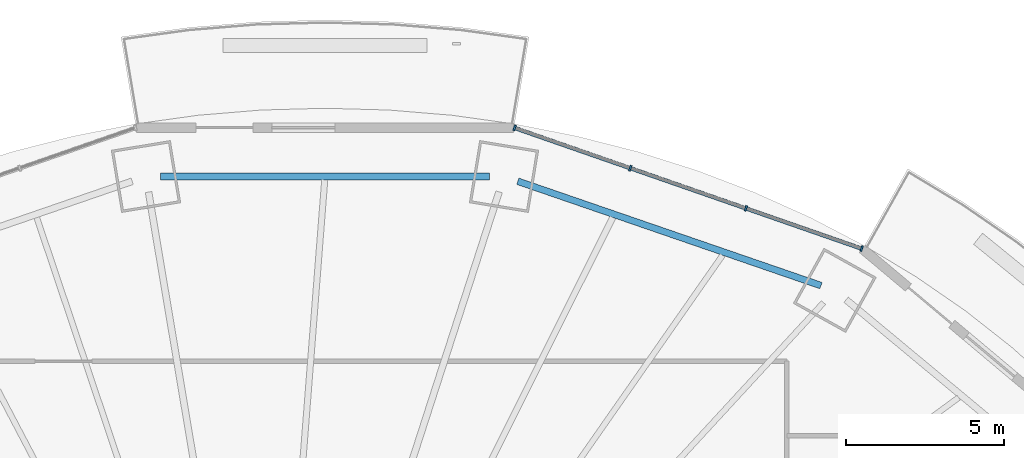
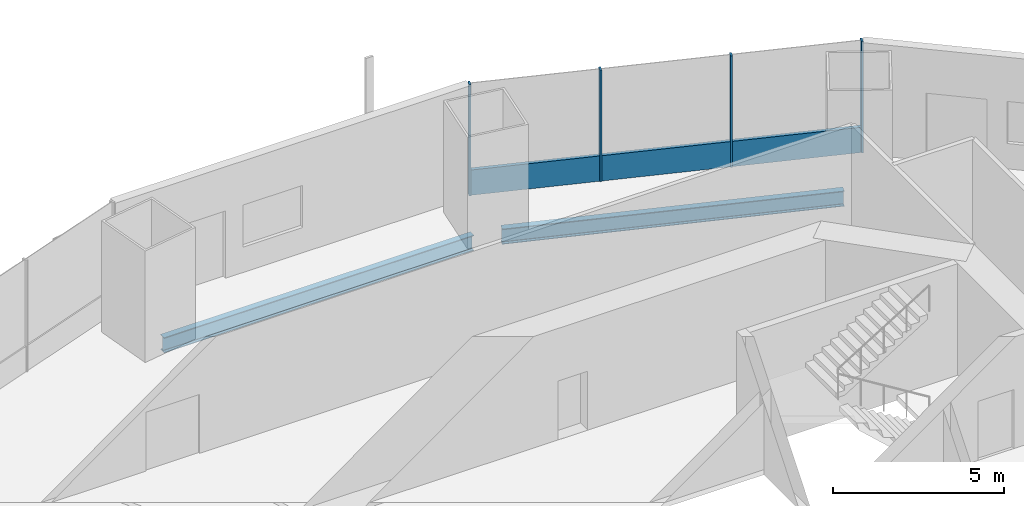
# One storey, part 8 of 19: 5 members, 2 beams, 1 element without a shape of its own.
"""IFC4 building model written with IfcOpenShell, lengths in metres."""

from ifc_helpers import new_model, si_unit, direction, frame, origin, origin_2d, place, context, subcontext, project, spatial, rectangle, i_section, extrude, material, material_profile, profile_set, type_object, element, aggregate, save


model = new_model("IFC4")

# Units and contexts
model_context = context("Model", 3, precision=1e-05, world=origin(), true_north=direction((0.0, 1.0)))
body_context = subcontext(model_context, "Body", "Model", "MODEL_VIEW")
ifc_project = project(units=[si_unit("LENGTHUNIT", "METRE"), si_unit("AREAUNIT", "SQUARE_METRE"), si_unit("VOLUMEUNIT", "CUBIC_METRE"), si_unit("PLANEANGLEUNIT", "RADIAN"), si_unit("MASSUNIT", "GRAM", prefix="KILO")], contexts=[model_context])

# Site, building, storey
site_placement = place(None, origin())
site = spatial("IfcSite", under=ifc_project, at=site_placement, CompositionType="ELEMENT")
building_placement = place(site_placement, origin())
building = spatial("IfcBuilding", under=site, at=building_placement, Name="Marenthal Gate Tower", CompositionType="ELEMENT")
storey_placement = place(building_placement, frame((0.0, 0.0, 227.449951171875)))
storey = spatial("IfcBuildingStorey", under=building, at=storey_placement, Name="L50", CompositionType="ELEMENT", Elevation=227.449951171875)

# Curtain wall, members
ifc_material_1 = material(Name="Aluminium and glass", Category="aluminium")
curtain_wall_type = type_object("IfcCurtainWallType", Name="Curtain wall typical mid", PredefinedType="NOTDEFINED", material=ifc_material_1)
curtain_wall_placement = place(storey_placement, origin())
curtain_wall = element("IfcCurtainWall", 1, at=curtain_wall_placement, inside=storey, type_object=curtain_wall_type, Name="Curtain wall L50 bay 3", PredefinedType="NOTDEFINED")
ifc_material_2 = material(Name="Aluminium", Category="aluminium")
ifc_material_profile_1 = material_profile(ifc_material_2, rectangle(XDim=0.179931640625, YDim=0.06005859375, at=origin_2d()), Name="60x180 aluminium mullion")
ifc_profile_set_1 = profile_set([ifc_material_profile_1], Name="Aluminium")
member_type_1 = type_object("IfcMemberType", Name="Mullion 60x180 typical mid", PredefinedType="MULLION", material=ifc_profile_set_1)
member_1_placement = place(storey_placement, frame((18.821044921875, 20.832763671875, 0.0), z_axis=(0.0, 0.0, 1.0), x_axis=(-0.328467970612, -0.94451510961, 0.0)))
member_1 = element("IfcMember", 2, at=member_1_placement, type_object=member_type_1, Name="Mullion L50 bay 3.1", PredefinedType="MULLION", context=body_context, shape_type="SweptSolid", body=[
    extrude(rectangle(XDim=0.179931640625, YDim=0.06005859375, at=origin_2d()), origin(), (0.0, 0.0, 1.0), 3.969970703125),
])
member_2_placement = place(storey_placement, frame((15.15234375, 22.1083984375, 0.0), z_axis=(0.0, 0.0, 1.0), x_axis=(-0.328467970612, -0.94451510961, 0.0)))
member_2 = element("IfcMember", 3, at=member_2_placement, type_object=member_type_1, Name="Mullion L50 bay 3.2", PredefinedType="MULLION", context=body_context, shape_type="SweptSolid", body=[
    extrude(rectangle(XDim=0.179931640625, YDim=0.06005859375, at=origin_2d()), origin(), (0.0, 0.0, 1.0), 3.969970703125),
])
member_3_placement = place(storey_placement, frame((11.48388671875, 23.38427734375, 0.0), z_axis=(0.0, 0.0, 1.0), x_axis=(-0.328467970612, -0.94451510961, 0.0)))
member_3 = element("IfcMember", 4, at=member_3_placement, type_object=member_type_1, Name="Mullion L50 bay 3.3", PredefinedType="MULLION", context=body_context, shape_type="SweptSolid", body=[
    extrude(rectangle(XDim=0.179931640625, YDim=0.06005859375, at=origin_2d()), origin(), (0.0, 0.0, 1.0), 3.969970703125),
])
member_4_placement = place(storey_placement, frame((7.815185546875, 24.66015625, 0.0), z_axis=(0.0, 0.0, 1.0), x_axis=(-0.328467970612, -0.94451510961, 0.0)))
member_4 = element("IfcMember", 5, at=member_4_placement, type_object=member_type_1, Name="Mullion L50 bay 3.4", PredefinedType="MULLION", context=body_context, shape_type="SweptSolid", body=[
    extrude(rectangle(XDim=0.179931640625, YDim=0.06005859375, at=origin_2d()), origin(), (0.0, 0.0, 1.0), 3.969970703125),
])
ifc_material_3 = material(Name="Aluminium", Category="aluminium")
ifc_material_profile_2 = material_profile(ifc_material_3, rectangle(XDim=0.1201171875, YDim=0.89990234375, at=origin_2d()), Name="120x900 aluminium transom")
ifc_profile_set_2 = profile_set([ifc_material_profile_2], Name="Aluminium")
member_type_2 = type_object("IfcMemberType", Name="Transom 120x900 typical mid", PredefinedType="USERDEFINED", material=ifc_profile_set_2)
member_5_placement = place(storey_placement, frame((18.792724609375, 20.842529296875, 0.449951171875), z_axis=(-0.944518387827, 0.328458543894, 0.0), x_axis=(-0.328458543894, -0.944518387827, 0.0)))
member_5 = element("IfcMember", 6, at=member_5_placement, type_object=member_type_2, Name="Transom L50 bay 3", ObjectType="TRANSOM", PredefinedType="USERDEFINED", context=body_context, shape_type="SweptSolid", body=[
    extrude(rectangle(XDim=0.1201171875, YDim=0.89990234375, at=origin_2d()), origin(), (0.0, 0.0, 1.0), 11.59228515625),
])
aggregate(curtain_wall, [member_1, member_2, member_3, member_4, member_5])

# Beams
ifc_material_4 = material(Name="Steel S355", Category="steel")
ifc_material_profile_3 = material_profile(ifc_material_4, i_section(OverallWidth=0.2119140625, OverallDepth=0.5439453125, WebThickness=0.01318359375, FlangeThickness=0.021240234375, FilletRadius=0.0126953125, at=origin_2d()), Name="W530X123")
ifc_profile_set_3 = profile_set([ifc_material_profile_3], Name="Steel S355")
beam_type = type_object("IfcBeamType", Name="W530X123 beam", PredefinedType="BEAM", material=ifc_profile_set_3)
beam_1_placement = place(storey_placement, frame((17.531982421875, 19.660400390625, -0.451904296875), z_axis=(-0.945567746604, 0.325425316443, 0.0), x_axis=(-0.325425316443, -0.945567746604, 0.0)))
element("IfcBeam", 7, at=beam_1_placement, inside=storey, type_object=beam_type, Name="BM-L50-43", PredefinedType="BEAM", context=body_context, shape_type="SweptSolid", body=[
    extrude(i_section(OverallWidth=0.2119140625, OverallDepth=0.5439453125, WebThickness=0.01318359375, FlangeThickness=0.021240234375, FilletRadius=0.0126953125, at=origin_2d()), origin(), (0.0, 0.0, 1.0), 10.16845703125),
])
beam_2_placement = place(storey_placement, frame((7.015869140625, 23.120361328125, -0.451904296875), z_axis=(-1.0, 0.0, 0.0), x_axis=(0.0, -1.0, 0.0)))
element("IfcBeam", 8, at=beam_2_placement, inside=storey, type_object=beam_type, Name="BM-L50-44", PredefinedType="BEAM", context=body_context, shape_type="SweptSolid", body=[
    extrude(i_section(OverallWidth=0.2119140625, OverallDepth=0.5439453125, WebThickness=0.01318359375, FlangeThickness=0.021240234375, FilletRadius=0.0126953125, at=origin_2d()), origin(), (0.0, 0.0, 1.0), 10.431640625),
])

save(model, "model.ifc")
